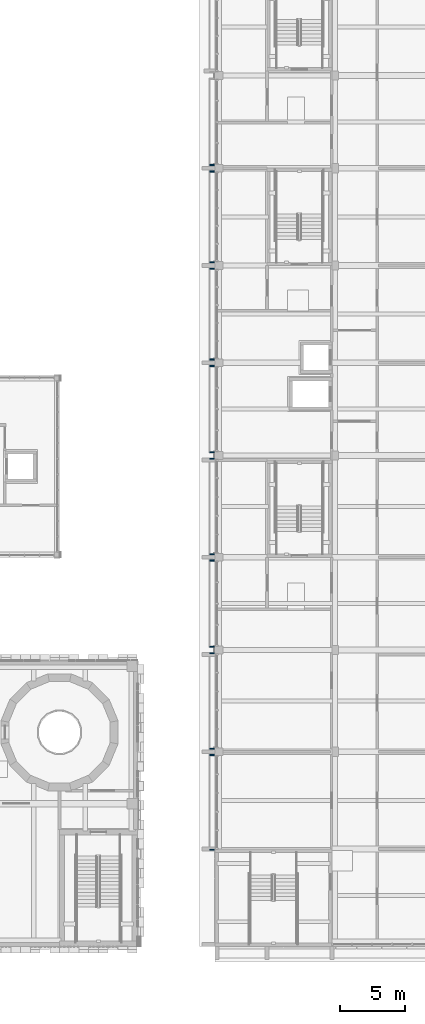
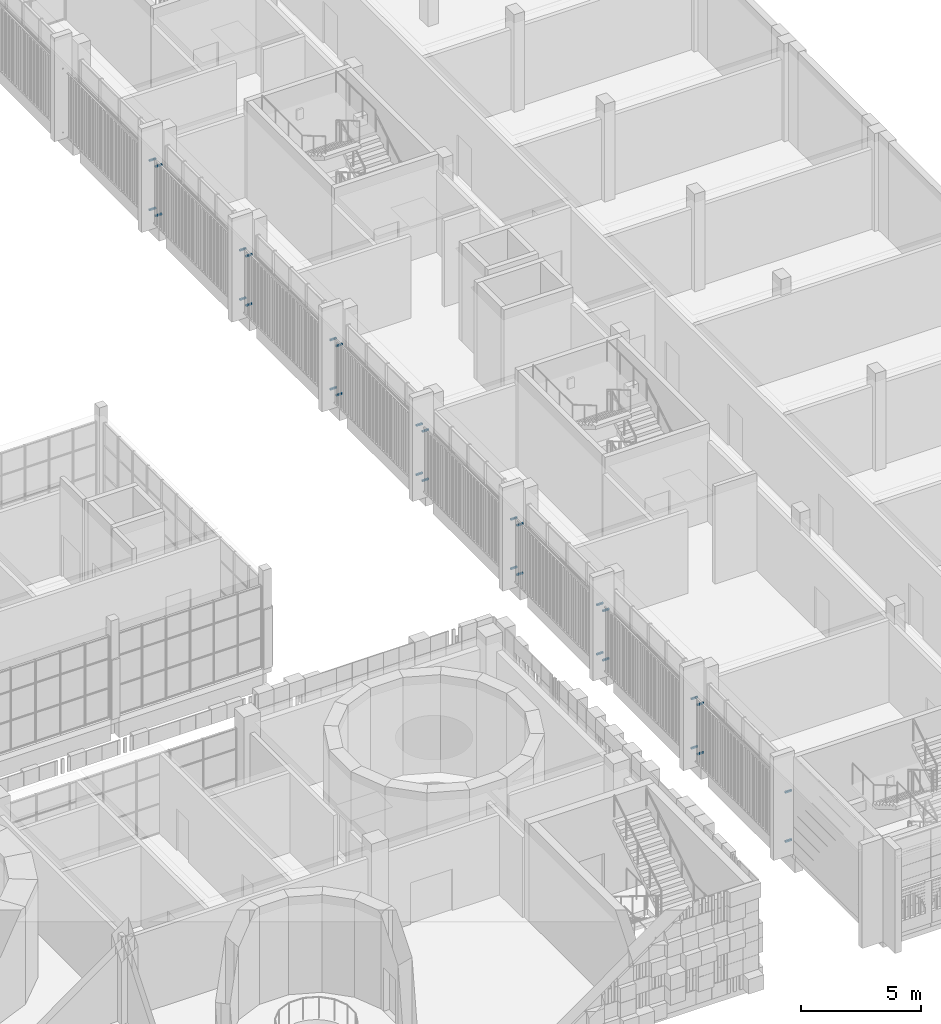
# One storey, part 86 of 125: 30 discrete accessories.
"""IFC4 building model written with IfcOpenShell, lengths in metres."""

import ifcopenshell
import ifcopenshell.guid

model = None  # the IFC model being written
_history = None  # IfcOwnerHistory: only IFC2X3 demands one
_inside = {}  # id of a spatial element -> (the spatial element, [elements in it])
_under = {}  # id of a project, library or spatial element -> (it, [spatial elements below it])
_declared = {}  # id of a project -> (the project, [libraries it declares])
_typed = {}  # id of a type object -> (the type object, [elements of that type])
_made_of = {}  # id of a material, layer set ... -> (it, [elements and type objects made of it])


def new_model(schema):
    """Start an empty IFC model of exactly this schema.

    Asked for "IFC4X3", IfcOpenShell would pick the latest addendum, in which some entities
    have other attributes; the version numbers below select the first issue.
    IFC2X3 requires an IfcOwnerHistory on every rooted entity: one is made here for all.
    """
    global model, _history
    if schema == "IFC4X3":
        model = ifcopenshell.file(schema_version=(4, 3, 0, 0))
    else:
        model = ifcopenshell.file(schema=schema)
    _inside.clear()
    _under.clear()
    _declared.clear()
    _typed.clear()
    _made_of.clear()
    _history = None
    if model.schema == "IFC2X3":
        org = make("IfcOrganization", Name="unknown")
        user = make(
            "IfcPersonAndOrganization",
            ThePerson=make("IfcPerson", FamilyName="unknown"),
            TheOrganization=org,
        )
        app = make(
            "IfcApplication",
            ApplicationDeveloper=org,
            Version="unknown",
            ApplicationFullName="unknown",
            ApplicationIdentifier="unknown",
        )
        _history = make(
            "IfcOwnerHistory",
            OwningUser=user,
            OwningApplication=app,
            ChangeAction="ADDED",
            CreationDate=0,
        )
    return model


def make(cls, **values):
    """One entity of the class cls with the attributes given. An attribute that is None is left unset."""
    return model.create_entity(
        cls, **{name: value for name, value in values.items() if value is not None}
    )


def rooted(cls, **values):
    """An entity with a GlobalId (a new one), such as an element, a storey or a relation."""
    return make(cls, GlobalId=ifcopenshell.guid.new(), OwnerHistory=_history, **values)


def si_unit(unit_type, name, prefix=None):
    """IfcSIUnit, for example si_unit("LENGTHUNIT", "METRE", prefix="MILLI")."""
    return make("IfcSIUnit", UnitType=unit_type, Prefix=prefix, Name=name)


def assignment(units):
    """IfcUnitAssignment: the units of a project."""
    return None if units is None else make("IfcUnitAssignment", Units=units)


def point(xyz):
    """IfcCartesianPoint."""
    return None if xyz is None else make("IfcCartesianPoint", Coordinates=xyz)


def direction(xyz):
    """IfcDirection."""
    return None if xyz is None else make("IfcDirection", DirectionRatios=xyz)


def frame(location, z_axis=None, x_axis=None):
    """IfcAxis2Placement3D, a coordinate frame: its origin and axes. An axis left out is left unset."""
    return make(
        "IfcAxis2Placement3D",
        Location=point(location),
        Axis=direction(z_axis),
        RefDirection=direction(x_axis),
    )


def frame_2d(location, x_axis=None):
    """IfcAxis2Placement2D, a coordinate frame in the plane: its origin and x axis."""
    return make(
        "IfcAxis2Placement2D", Location=point(location), RefDirection=direction(x_axis)
    )


def origin():
    """The frame at (0, 0, 0) with its axes left unset."""
    return frame((0.0, 0.0, 0.0))


def origin_2d():
    """The frame at (0, 0) in the plane with its x axis left unset."""
    return frame_2d((0.0, 0.0))


def place(relative_to, where):
    """IfcLocalPlacement: puts the frame where relative to a parent placement (None: the world)."""
    return make(
        "IfcLocalPlacement", PlacementRelTo=relative_to, RelativePlacement=where
    )


def context(
    kind, dimensions, precision=None, world=None, true_north=None, identifier=None
):
    """IfcGeometricRepresentationContext, for example the 3D "Model" context."""
    return make(
        "IfcGeometricRepresentationContext",
        ContextIdentifier=identifier,
        ContextType=kind,
        CoordinateSpaceDimension=dimensions,
        Precision=precision,
        WorldCoordinateSystem=world,
        TrueNorth=true_north,
    )


def subcontext(parent, identifier, kind, view, scale=None):
    """IfcGeometricRepresentationSubContext, for example "Body" below "Model"."""
    return make(
        "IfcGeometricRepresentationSubContext",
        ContextIdentifier=identifier,
        ContextType=kind,
        ParentContext=parent,
        TargetScale=scale,
        TargetView=view,
    )


def project(units=None, contexts=None):
    """IfcProject with its units and contexts."""
    return rooted(
        "IfcProject",
        Name="project",
        RepresentationContexts=contexts,
        UnitsInContext=assignment(units),
    )


def spatial(cls, under=None, at=None, **own):
    """A site, building, storey or space (cls), placed at a placement, below another one or the project."""
    s = rooted(cls, ObjectPlacement=at, **own)
    if under is not None:
        _under.setdefault(under.id(), (under, []))[1].append(s)
    return s


def profile(cls, at=None, kind="AREA", **sizes):
    """A parametric profile (cls). Its sizes go by their IFC names, for example OverallWidth=200.0."""
    return make(cls, ProfileType=kind, Position=at, **sizes)


def rectangle(**sizes):
    """IfcRectangleProfileDef."""
    return profile("IfcRectangleProfileDef", **sizes)


def extrude(swept, where, along, depth):
    """IfcExtrudedAreaSolid: the profile swept, set in the frame where, extruded along a direction by depth."""
    return make(
        "IfcExtrudedAreaSolid",
        SweptArea=swept,
        Position=where,
        ExtrudedDirection=direction(along),
        Depth=depth,
    )


def shape(context_of_items, identifier, shape_type, items):
    """IfcShapeRepresentation: the items that make up one representation, for example the "Body"."""
    return make(
        "IfcShapeRepresentation",
        ContextOfItems=context_of_items,
        RepresentationIdentifier=identifier,
        RepresentationType=shape_type,
        Items=items,
    )


def material(Name=None, Category=None):
    """IfcMaterial."""
    return make("IfcMaterial", Name=Name, Category=Category)


def made_of(thing, what):
    """Note that an element or type object is made of a material, layer set ...; save() writes the relation."""
    if what is not None:
        _made_of.setdefault(what.id(), (what, []))[1].append(thing)
    return thing


def type_object(cls, material=None, **own):
    """A type object (cls), such as IfcWallType, which elements share."""
    return made_of(rooted(cls, **own), material)


def element(
    cls,
    number,
    at=None,
    inside=None,
    cuts=None,
    type_object=None,
    material=None,
    context=None,
    identifier="Body",
    shape_type=None,
    held_by="IfcProductDefinitionShape",
    body=None,
    shapes=None,
    **own,
):
    """One element of the class cls, such as IfcWall. Its Tag is "e" and its number.

    at: its placement. inside: the storey or other place that contains it. cuts: it is an
    opening in that element (IfcRelVoidsElement). A single representation is given by context,
    identifier, shape_type and body (its items); several are given by shapes. held_by: the class
    of the entity that holds the representations. save() writes the other relations.
    """
    e = rooted(cls, Tag="e%d" % number, ObjectPlacement=at, **own)
    if body is not None:
        shapes = [shape(context, identifier, shape_type, body)]
    if shapes is not None:
        e.Representation = make(held_by, Representations=shapes)
    if inside is not None:
        _inside.setdefault(inside.id(), (inside, []))[1].append(e)
    if cuts is not None:
        rooted(
            "IfcRelVoidsElement", RelatingBuildingElement=cuts, RelatedOpeningElement=e
        )
    if type_object is not None:
        _typed.setdefault(type_object.id(), (type_object, []))[1].append(e)
    return made_of(e, material)


def aggregate(whole, parts):
    """IfcRelAggregates: a whole, such as a stair, and the parts it consists of."""
    return rooted("IfcRelAggregates", RelatingObject=whole, RelatedObjects=parts)


def save(model, path):
    """Write the relations noted so far, then the file.

    IfcRelAggregates (storeys below a building ...), IfcRelContainedInSpatialStructure (elements
    in a storey), IfcRelDefinesByType, IfcRelAssociatesMaterial and IfcRelDeclares: one each for
    every whole, place, type object, material and project.
    """
    for whole, parts in _under.values():
        aggregate(whole, parts)
    for where, things in _inside.values():
        rooted(
            "IfcRelContainedInSpatialStructure",
            RelatedElements=things,
            RelatingStructure=where,
        )
    for kind, things in _typed.values():
        rooted("IfcRelDefinesByType", RelatedObjects=things, RelatingType=kind)
    for what, things in _made_of.values():
        rooted("IfcRelAssociatesMaterial", RelatedObjects=things, RelatingMaterial=what)
    for by, libraries in _declared.values():
        rooted("IfcRelDeclares", RelatingContext=by, RelatedDefinitions=libraries)
    model.write(path)


model = new_model("IFC4")

# Units and contexts
model_context = context("Model", 3, precision=1e-05, world=origin(), true_north=direction((0.0, 1.0)))
body_context = subcontext(model_context, "Body", "Model", "MODEL_VIEW")
ifc_project = project(units=[si_unit("LENGTHUNIT", "METRE"), si_unit("AREAUNIT", "SQUARE_METRE"), si_unit("VOLUMEUNIT", "CUBIC_METRE"), si_unit("PLANEANGLEUNIT", "RADIAN"), si_unit("MASSUNIT", "GRAM", prefix="KILO")], contexts=[model_context])

# Site, building, storey
site_placement = place(None, origin())
site = spatial("IfcSite", under=ifc_project, at=site_placement, CompositionType="ELEMENT")
building_placement = place(site_placement, origin())
building = spatial("IfcBuilding", under=site, at=building_placement, Name="Sun Court Science Centre", CompositionType="ELEMENT")
storey_placement = place(building_placement, frame((0.0, 0.0, 6.0)))
storey = spatial("IfcBuildingStorey", under=building, at=storey_placement, Name="L01", CompositionType="ELEMENT", Elevation=6.0)

# Discrete accessories
ifc_material = material(Name="Stainless steel", Category="steel")
discrete_accessory_type = type_object("IfcDiscreteAccessoryType", Name="Jali screen bracket", PredefinedType="BRACKET", material=ifc_material)
for number, where, z_axis, x_axis, name in (
    (1, (77.760009765625, 13.449951171875, 0.659912109375), (0.0, 0.0, 1.0), (0.0, 1.0, 0.0), "Jali screen bracket west face L01 01"),
    (2, (77.760009765625, 20.75, 0.659912109375), (0.0, 0.0, 1.0), (0.0, 1.0, 0.0), "Jali screen bracket west face L01 01"),
    (3, (77.760009765625, 13.449951171875, 3.159912109375), (0.0, 0.0, 1.0), (0.0, 1.0, 0.0), "Jali screen bracket west face L01 01"),
    (4, (77.760009765625, 20.75, 3.159912109375), (0.0, 0.0, 1.0), (0.0, 1.0, 0.0), "Jali screen bracket west face L01 01"),
    (5, (77.760009765625, 21.25, 0.659912109375), (0.0, 0.0, 1.0), (0.0, 1.0, 0.0), "Jali screen bracket west face L01 02"),
    (6, (77.760009765625, 28.60009765625, 0.659912109375), (0.0, 0.0, 1.0), (0.0, 1.0, 0.0), "Jali screen bracket west face L01 02"),
    (7, (77.760009765625, 21.25, 3.159912109375), (0.0, 0.0, 1.0), (0.0, 1.0, 0.0), "Jali screen bracket west face L01 02"),
    (8, (77.760009765625, 28.60009765625, 3.159912109375), (0.0, 0.0, 1.0), (0.0, 1.0, 0.0), "Jali screen bracket west face L01 02"),
    (9, (77.760009765625, 29.10009765625, 0.659912109375), (0.0, 0.0, 1.0), (0.0, 1.0, 0.0), "Jali screen bracket west face L01 03"),
    (10, (77.760009765625, 35.75, 0.659912109375), (0.0, 0.0, 1.0), (0.0, 1.0, 0.0), "Jali screen bracket west face L01 03"),
    (11, (77.760009765625, 29.10009765625, 3.159912109375), (0.0, 0.0, 1.0), (0.0, 1.0, 0.0), "Jali screen bracket west face L01 03"),
    (12, (77.760009765625, 35.75, 3.159912109375), (0.0, 0.0, 1.0), (0.0, 1.0, 0.0), "Jali screen bracket west face L01 03"),
    (13, (77.760009765625, 36.25, 0.659912109375), (0.0, 0.0, 1.0), (0.0, 1.0, 0.0), "Jali screen bracket west face L01 04"),
    (14, (77.760009765625, 43.60009765625, 0.659912109375), (0.0, 0.0, 1.0), (0.0, 1.0, 0.0), "Jali screen bracket west face L01 04"),
    (15, (77.760009765625, 36.25, 3.159912109375), (0.0, 0.0, 1.0), (0.0, 1.0, 0.0), "Jali screen bracket west face L01 04"),
    (16, (77.760009765625, 43.60009765625, 3.159912109375), (0.0, 0.0, 1.0), (0.0, 1.0, 0.0), "Jali screen bracket west face L01 04"),
    (17, (77.760009765625, 44.10009765625, 0.659912109375), (0.0, 0.0, 1.0), (0.0, 1.0, 0.0), "Jali screen bracket west face L01 05"),
    (18, (77.760009765625, 50.75, 0.659912109375), (0.0, 0.0, 1.0), (0.0, 1.0, 0.0), "Jali screen bracket west face L01 05"),
    (19, (77.760009765625, 44.10009765625, 3.159912109375), (0.0, 0.0, 1.0), (0.0, 1.0, 0.0), "Jali screen bracket west face L01 05"),
    (20, (77.760009765625, 50.75, 3.159912109375), (0.0, 0.0, 1.0), (0.0, 1.0, 0.0), "Jali screen bracket west face L01 05"),
    (21, (77.760009765625, 51.25, 0.659912109375), (0.0, 0.0, 1.0), (0.0, 1.0, 0.0), "Jali screen bracket west face L01 06"),
    (22, (77.760009765625, 58.25, 0.659912109375), (0.0, 0.0, 1.0), (0.0, 1.0, 0.0), "Jali screen bracket west face L01 06"),
    (23, (77.760009765625, 51.25, 3.159912109375), (0.0, 0.0, 1.0), (0.0, 1.0, 0.0), "Jali screen bracket west face L01 06"),
    (24, (77.760009765625, 58.25, 3.159912109375), (0.0, 0.0, 1.0), (0.0, 1.0, 0.0), "Jali screen bracket west face L01 06"),
    (25, (77.760009765625, 58.75, 0.659912109375), (0.0, 0.0, 1.0), (0.0, 1.0, 0.0), "Jali screen bracket west face L01 07"),
    (26, (77.760009765625, 65.75, 0.659912109375), (0.0, 0.0, 1.0), (0.0, 1.0, 0.0), "Jali screen bracket west face L01 07"),
    (27, (77.760009765625, 58.75, 3.159912109375), (0.0, 0.0, 1.0), (0.0, 1.0, 0.0), "Jali screen bracket west face L01 07"),
    (28, (77.760009765625, 65.75, 3.159912109375), (0.0, 0.0, 1.0), (0.0, 1.0, 0.0), "Jali screen bracket west face L01 07"),
    (29, (77.760009765625, 66.25, 0.659912109375), (0.0, 0.0, 1.0), (0.0, 1.0, 0.0), "Jali screen bracket west face L01 08"),
    (30, (77.760009765625, 66.25, 3.159912109375), (0.0, 0.0, 1.0), (0.0, 1.0, 0.0), "Jali screen bracket west face L01 08"),
):
    element("IfcDiscreteAccessory", number, at=place(storey_placement, frame(where, z_axis=z_axis, x_axis=x_axis)), inside=storey, type_object=discrete_accessory_type, Name=name, PredefinedType="BRACKET", context=body_context, shape_type="SweptSolid", body=[
        extrude(rectangle(XDim=0.080078125, YDim=0.320068359375, at=origin_2d()), origin(), (0.0, 0.0, 1.0), 0.080078125),
    ])

save(model, "model.ifc")
